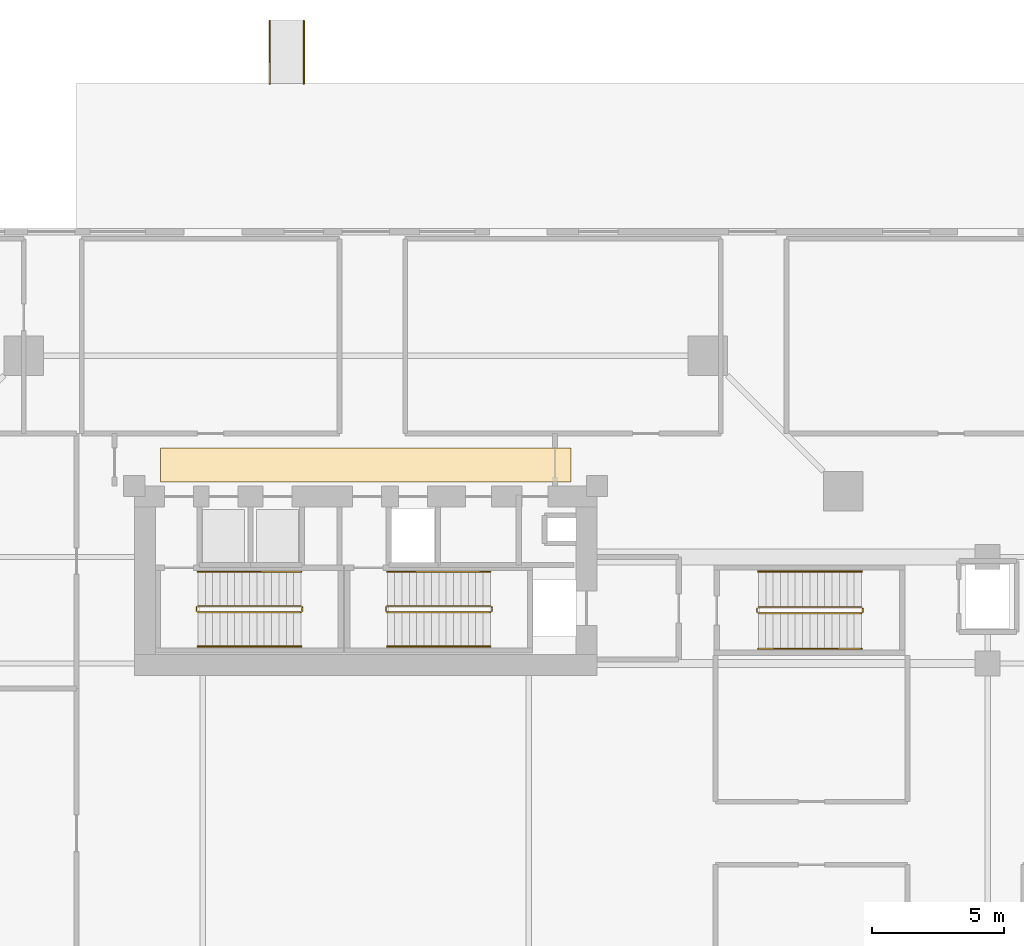
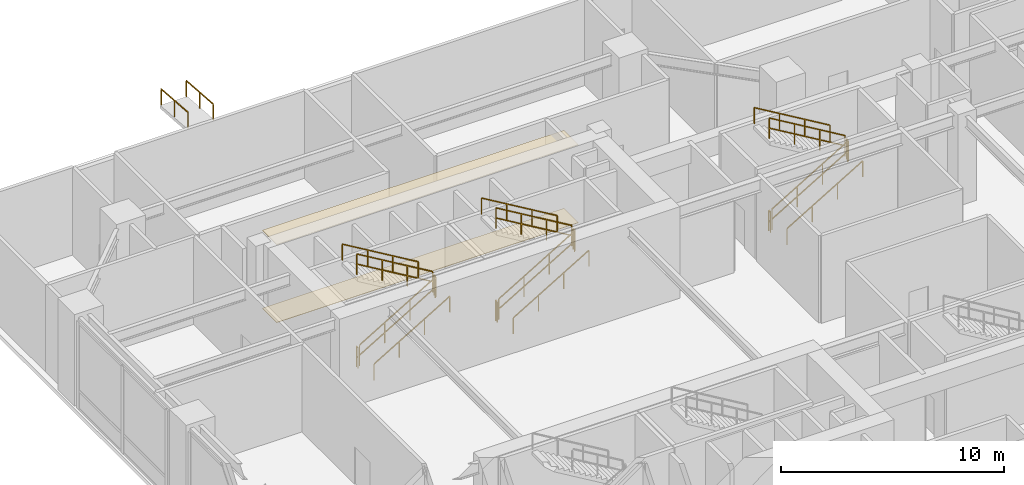
# One storey, part 16 of 18: 20 railings, 2 coverings.
"""IFC4 building model written with IfcOpenShell, lengths in metres."""

from ifc_helpers import new_model, si_unit, direction, frame, origin, origin_2d, place, context, subcontext, project, spatial, polyline, rectangle, outline, extrude, material, layer, layer_set, type_object, element, save


model = new_model("IFC4")

# Units and contexts
model_context = context("Model", 3, precision=1e-05, world=origin(), true_north=direction((0.0, 1.0)))
body_context = subcontext(model_context, "Body", "Model", "MODEL_VIEW")
ifc_project = project(units=[si_unit("LENGTHUNIT", "METRE"), si_unit("AREAUNIT", "SQUARE_METRE"), si_unit("VOLUMEUNIT", "CUBIC_METRE"), si_unit("PLANEANGLEUNIT", "RADIAN"), si_unit("MASSUNIT", "GRAM", prefix="KILO"), si_unit("THERMODYNAMICTEMPERATUREUNIT", "KELVIN"), si_unit("POWERUNIT", "WATT")], contexts=[model_context])

# Site, building, storey
site_placement = place(None, origin())
site = spatial("IfcSite", under=ifc_project, at=site_placement, CompositionType="ELEMENT")
building_placement = place(site_placement, origin())
building = spatial("IfcBuilding", under=site, at=building_placement, Name="Qiaomeng Ring Towers", CompositionType="ELEMENT")
storey_placement = place(building_placement, origin())
storey = spatial("IfcBuildingStorey", under=building, at=storey_placement, Name="L00", CompositionType="ELEMENT", Elevation=0.0)

# Coverings
ifc_material_1 = material(Name="Mineral fibre acoustic ceiling tile", Category="gypsum")
ifc_layer_1 = layer(ifc_material_1, 0.02490234375, Name="Mineral fibre acoustic ceiling tile")
ifc_layer_set_1 = layer_set([ifc_layer_1], Name="Mineral fibre acoustic ceiling tile")
covering_type_1 = type_object("IfcCoveringType", Name="ARC-COV-CEIL1", PredefinedType="CEILING", material=ifc_layer_set_1)
covering_1_placement = place(storey_placement, frame((0.0, 0.0, 4.260009765625)))
element("IfcCovering", 1, at=covering_1_placement, inside=storey, type_object=covering_type_1, Name="L00 Corridor Acoustic Ceiling", PredefinedType="CEILING", context=body_context, shape_type="SweptSolid", body=[
    extrude(outline(polyline([(11.199951171875, 36.35009765625), (11.199951171875, 37.64990234375), (26.800048828125, 37.64990234375), (26.800048828125, 36.35009765625), (11.199951171875, 36.35009765625)])), origin(), (0.0, 0.0, 1.0), 0.02490234375),
])
ifc_material_2 = material(Name="Honed granite stone flooring", Category="masonry")
ifc_layer_2 = layer(ifc_material_2, 0.02392578125, Name="Honed granite stone flooring")
ifc_layer_set_2 = layer_set([ifc_layer_2], Name="Honed granite stone flooring")
covering_type_2 = type_object("IfcCoveringType", Name="ARC-COV-FLR2", PredefinedType="FLOORING", material=ifc_layer_set_2)
covering_2_placement = place(storey_placement, origin())
element("IfcCovering", 2, at=covering_2_placement, inside=storey, type_object=covering_type_2, Name="L00 Corridor Stone Flooring", PredefinedType="FLOORING", context=body_context, shape_type="SweptSolid", body=[
    extrude(outline(polyline([(11.199951171875, 36.35009765625), (11.199951171875, 37.64990234375), (26.800048828125, 37.64990234375), (26.800048828125, 36.35009765625), (11.199951171875, 36.35009765625)])), origin(), (0.0, 0.0, 1.0), 0.02001953125),
])

# Railings
ifc_material_3 = material(Name="Galvanised steel", Category="steel")
railing_type_1 = type_object("IfcRailingType", Name="ARC-RL-GUARD", PredefinedType="GUARDRAIL", material=ifc_material_3)
railing_1_placement = place(storey_placement, frame((12.6201171875, 31.39990234375, 0.166748046875)))
element("IfcRailing", 3, at=railing_1_placement, inside=storey, type_object=railing_type_1, Name="L00 ST1 stair guard 1", PredefinedType="GUARDRAIL", context=body_context, shape_type="SweptSolid", body=[
    extrude(rectangle(XDim=0.048095703125, YDim=0.048095703125, at=origin_2d()), frame((0.0, 0.0, 1.1259765625), z_axis=(0.859296244711, 0.0, 0.511478214419), x_axis=(0.0, 1.0, 0.0)), (0.0, 0.0, 1.0), 4.561767578125),
    extrude(rectangle(XDim=0.048095703125, YDim=0.048095703125, at=origin_2d()), frame((0.0, 0.0, 0.574951171875), z_axis=(0.859296244711, 0.0, 0.511478214419), x_axis=(0.0, 1.0, 0.0)), (0.0, 0.0, 1.0), 4.561767578125),
    extrude(rectangle(XDim=0.0419921875, YDim=0.0419921875, at=origin_2d()), origin(), (0.0, 0.0, 1.0), 1.101806640625),
    extrude(rectangle(XDim=0.0419921875, YDim=0.0419921875, at=origin_2d()), frame((1.306640625, 0.0, 0.77783203125)), (0.0, 0.0, 1.0), 1.101806640625),
    extrude(rectangle(XDim=0.0419921875, YDim=0.0419921875, at=origin_2d()), frame((2.61328125, 0.0, 1.555419921875)), (0.0, 0.0, 1.0), 1.101806640625),
    extrude(rectangle(XDim=0.0419921875, YDim=0.0419921875, at=origin_2d()), frame((3.919921875, 0.0, 2.333251953125)), (0.0, 0.0, 1.0), 1.101806640625),
])
railing_2_placement = place(storey_placement, frame((16.590087890625, 31.449951171875, 2.5)))
element("IfcRailing", 4, at=railing_2_placement, inside=storey, type_object=railing_type_1, Name="L00 ST1 stair guard 2", PredefinedType="GUARDRAIL", context=body_context, shape_type="SweptSolid", body=[
    extrude(rectangle(XDim=0.048095703125, YDim=0.048095703125, at=origin_2d()), frame((0.0, 0.0, 1.1259765625), z_axis=(0.0, 1.0, 0.0), x_axis=(-1.0, 0.0, 0.0)), (0.0, 0.0, 1.0), 0.14013671875),
    extrude(rectangle(XDim=0.048095703125, YDim=0.048095703125, at=origin_2d()), frame((0.0, 0.0, 0.574951171875), z_axis=(0.0, 1.0, 0.0), x_axis=(-1.0, 0.0, 0.0)), (0.0, 0.0, 1.0), 0.14013671875),
    extrude(rectangle(XDim=0.0419921875, YDim=0.0419921875, at=origin_2d()), origin(), (0.0, 0.0, 1.0), 1.101806640625),
    extrude(rectangle(XDim=0.0419921875, YDim=0.0419921875, at=origin_2d()), frame((0.0, 0.14013671875, 0.0)), (0.0, 0.0, 1.0), 1.101806640625),
])
railing_3_placement = place(storey_placement, frame((16.5400390625, 31.639892578125, 2.666748046875)))
element("IfcRailing", 5, at=railing_3_placement, inside=storey, type_object=railing_type_1, Name="L00 ST1 stair guard 3", PredefinedType="GUARDRAIL", context=body_context, shape_type="SweptSolid", body=[
    extrude(rectangle(XDim=0.048095703125, YDim=0.048095703125, at=origin_2d()), frame((0.0, 0.0, 1.1259765625), z_axis=(-0.859296244711, 0.0, 0.511478214419), x_axis=(0.0, -1.0, 0.0)), (0.0, 0.0, 1.0), 4.561767578125),
    extrude(rectangle(XDim=0.048095703125, YDim=0.048095703125, at=origin_2d()), frame((0.0, 0.0, 0.574951171875), z_axis=(-0.859296244711, 0.0, 0.511478214419), x_axis=(0.0, -1.0, 0.0)), (0.0, 0.0, 1.0), 4.561767578125),
    extrude(rectangle(XDim=0.0419921875, YDim=0.0419921875, at=origin_2d()), origin(), (0.0, 0.0, 1.0), 1.101806640625),
    extrude(rectangle(XDim=0.0419921875, YDim=0.0419921875, at=origin_2d()), frame((-1.306640625, 0.0, 0.77783203125)), (0.0, 0.0, 1.0), 1.101806640625),
    extrude(rectangle(XDim=0.0419921875, YDim=0.0419921875, at=origin_2d()), frame((-2.61328125, 0.0, 1.555419921875)), (0.0, 0.0, 1.0), 1.101806640625),
    extrude(rectangle(XDim=0.0419921875, YDim=0.0419921875, at=origin_2d()), frame((-3.919921875, 0.0, 2.333251953125)), (0.0, 0.0, 1.0), 1.101806640625),
])
railing_4_placement = place(storey_placement, frame((12.570068359375, 31.449951171875, 0.0)))
element("IfcRailing", 6, at=railing_4_placement, inside=storey, type_object=railing_type_1, Name="L00 ST1 stair guard 4", PredefinedType="GUARDRAIL", context=body_context, shape_type="SweptSolid", body=[
    extrude(rectangle(XDim=0.048095703125, YDim=0.048095703125, at=origin_2d()), frame((0.0, 0.0, 1.1259765625), z_axis=(0.0, 1.0, 0.0), x_axis=(-1.0, 0.0, 0.0)), (0.0, 0.0, 1.0), 0.14013671875),
    extrude(rectangle(XDim=0.048095703125, YDim=0.048095703125, at=origin_2d()), frame((0.0, 0.0, 0.574951171875), z_axis=(0.0, 1.0, 0.0), x_axis=(-1.0, 0.0, 0.0)), (0.0, 0.0, 1.0), 0.14013671875),
    extrude(rectangle(XDim=0.0419921875, YDim=0.0419921875, at=origin_2d()), origin(), (0.0, 0.0, 1.0), 1.101806640625),
    extrude(rectangle(XDim=0.0419921875, YDim=0.0419921875, at=origin_2d()), frame((0.0, 0.14013671875, 0.0)), (0.0, 0.0, 1.0), 1.101806640625),
])
railing_5_placement = place(storey_placement, frame((19.820068359375, 31.39990234375, 0.166748046875)))
element("IfcRailing", 7, at=railing_5_placement, inside=storey, type_object=railing_type_1, Name="L00 ST2 stair guard 1", PredefinedType="GUARDRAIL", context=body_context, shape_type="SweptSolid", body=[
    extrude(rectangle(XDim=0.048095703125, YDim=0.048095703125, at=origin_2d()), frame((0.0, 0.0, 1.1259765625), z_axis=(0.859296244711, 0.0, 0.511478214419), x_axis=(0.0, 1.0, 0.0)), (0.0, 0.0, 1.0), 4.561767578125),
    extrude(rectangle(XDim=0.048095703125, YDim=0.048095703125, at=origin_2d()), frame((0.0, 0.0, 0.574951171875), z_axis=(0.859296244711, 0.0, 0.511478214419), x_axis=(0.0, 1.0, 0.0)), (0.0, 0.0, 1.0), 4.561767578125),
    extrude(rectangle(XDim=0.0419921875, YDim=0.0419921875, at=origin_2d()), origin(), (0.0, 0.0, 1.0), 1.101806640625),
    extrude(rectangle(XDim=0.0419921875, YDim=0.0419921875, at=origin_2d()), frame((1.306640625, 0.0, 0.77783203125)), (0.0, 0.0, 1.0), 1.101806640625),
    extrude(rectangle(XDim=0.0419921875, YDim=0.0419921875, at=origin_2d()), frame((2.61328125, 0.0, 1.555419921875)), (0.0, 0.0, 1.0), 1.101806640625),
    extrude(rectangle(XDim=0.0419921875, YDim=0.0419921875, at=origin_2d()), frame((3.919921875, 0.0, 2.333251953125)), (0.0, 0.0, 1.0), 1.101806640625),
])
railing_6_placement = place(storey_placement, frame((23.7900390625, 31.449951171875, 2.5)))
element("IfcRailing", 8, at=railing_6_placement, inside=storey, type_object=railing_type_1, Name="L00 ST2 stair guard 2", PredefinedType="GUARDRAIL", context=body_context, shape_type="SweptSolid", body=[
    extrude(rectangle(XDim=0.048095703125, YDim=0.048095703125, at=origin_2d()), frame((0.0, 0.0, 1.1259765625), z_axis=(0.0, 1.0, 0.0), x_axis=(-1.0, 0.0, 0.0)), (0.0, 0.0, 1.0), 0.14013671875),
    extrude(rectangle(XDim=0.048095703125, YDim=0.048095703125, at=origin_2d()), frame((0.0, 0.0, 0.574951171875), z_axis=(0.0, 1.0, 0.0), x_axis=(-1.0, 0.0, 0.0)), (0.0, 0.0, 1.0), 0.14013671875),
    extrude(rectangle(XDim=0.0419921875, YDim=0.0419921875, at=origin_2d()), origin(), (0.0, 0.0, 1.0), 1.101806640625),
    extrude(rectangle(XDim=0.0419921875, YDim=0.0419921875, at=origin_2d()), frame((0.0, 0.14013671875, 0.0)), (0.0, 0.0, 1.0), 1.101806640625),
])
railing_7_placement = place(storey_placement, frame((23.739990234375, 31.639892578125, 2.666748046875)))
element("IfcRailing", 9, at=railing_7_placement, inside=storey, type_object=railing_type_1, Name="L00 ST2 stair guard 3", PredefinedType="GUARDRAIL", context=body_context, shape_type="SweptSolid", body=[
    extrude(rectangle(XDim=0.048095703125, YDim=0.048095703125, at=origin_2d()), frame((0.0, 0.0, 1.1259765625), z_axis=(-0.859296244711, 0.0, 0.511478214419), x_axis=(0.0, -1.0, 0.0)), (0.0, 0.0, 1.0), 4.561767578125),
    extrude(rectangle(XDim=0.048095703125, YDim=0.048095703125, at=origin_2d()), frame((0.0, 0.0, 0.574951171875), z_axis=(-0.859296244711, 0.0, 0.511478214419), x_axis=(0.0, -1.0, 0.0)), (0.0, 0.0, 1.0), 4.561767578125),
    extrude(rectangle(XDim=0.0419921875, YDim=0.0419921875, at=origin_2d()), origin(), (0.0, 0.0, 1.0), 1.101806640625),
    extrude(rectangle(XDim=0.0419921875, YDim=0.0419921875, at=origin_2d()), frame((-1.306640625, 0.0, 0.77783203125)), (0.0, 0.0, 1.0), 1.101806640625),
    extrude(rectangle(XDim=0.0419921875, YDim=0.0419921875, at=origin_2d()), frame((-2.61328125, 0.0, 1.555419921875)), (0.0, 0.0, 1.0), 1.101806640625),
    extrude(rectangle(XDim=0.0419921875, YDim=0.0419921875, at=origin_2d()), frame((-3.919921875, 0.0, 2.333251953125)), (0.0, 0.0, 1.0), 1.101806640625),
])
railing_8_placement = place(storey_placement, frame((19.77001953125, 31.449951171875, 0.0)))
element("IfcRailing", 10, at=railing_8_placement, inside=storey, type_object=railing_type_1, Name="L00 ST2 stair guard 4", PredefinedType="GUARDRAIL", context=body_context, shape_type="SweptSolid", body=[
    extrude(rectangle(XDim=0.048095703125, YDim=0.048095703125, at=origin_2d()), frame((0.0, 0.0, 1.1259765625), z_axis=(0.0, 1.0, 0.0), x_axis=(-1.0, 0.0, 0.0)), (0.0, 0.0, 1.0), 0.14013671875),
    extrude(rectangle(XDim=0.048095703125, YDim=0.048095703125, at=origin_2d()), frame((0.0, 0.0, 0.574951171875), z_axis=(0.0, 1.0, 0.0), x_axis=(-1.0, 0.0, 0.0)), (0.0, 0.0, 1.0), 0.14013671875),
    extrude(rectangle(XDim=0.0419921875, YDim=0.0419921875, at=origin_2d()), origin(), (0.0, 0.0, 1.0), 1.101806640625),
    extrude(rectangle(XDim=0.0419921875, YDim=0.0419921875, at=origin_2d()), frame((0.0, 0.14013671875, 0.0)), (0.0, 0.0, 1.0), 1.101806640625),
])
railing_9_placement = place(storey_placement, frame((33.929931640625, 31.360107421875, 0.166748046875)))
element("IfcRailing", 11, at=railing_9_placement, inside=storey, type_object=railing_type_1, Name="L00 ST7 stair guard 1", PredefinedType="GUARDRAIL", context=body_context, shape_type="SweptSolid", body=[
    extrude(rectangle(XDim=0.048095703125, YDim=0.048095703125, at=origin_2d()), frame((0.0, 0.0, 1.1259765625), z_axis=(0.859310244771, 0.0, 0.511454693235), x_axis=(0.0, 1.0, 0.0)), (0.0, 0.0, 1.0), 4.56201171875),
    extrude(rectangle(XDim=0.048095703125, YDim=0.048095703125, at=origin_2d()), frame((0.0, 0.0, 0.574951171875), z_axis=(0.859310244771, 0.0, 0.511454693235), x_axis=(0.0, 1.0, 0.0)), (0.0, 0.0, 1.0), 4.56201171875),
    extrude(rectangle(XDim=0.0419921875, YDim=0.0419921875, at=origin_2d()), origin(), (0.0, 0.0, 1.0), 1.101806640625),
    extrude(rectangle(XDim=0.0419921875, YDim=0.0419921875, at=origin_2d()), frame((1.306640625, 0.0, 0.77783203125)), (0.0, 0.0, 1.0), 1.101806640625),
    extrude(rectangle(XDim=0.0419921875, YDim=0.0419921875, at=origin_2d()), frame((2.613525390625, 0.0, 1.555419921875)), (0.0, 0.0, 1.0), 1.101806640625),
    extrude(rectangle(XDim=0.0419921875, YDim=0.0419921875, at=origin_2d()), frame((3.920166015625, 0.0, 2.333251953125)), (0.0, 0.0, 1.0), 1.101806640625),
])
railing_10_placement = place(storey_placement, frame((37.89990234375, 31.409912109375, 2.5)))
element("IfcRailing", 12, at=railing_10_placement, inside=storey, type_object=railing_type_1, Name="L00 ST7 stair guard 2", PredefinedType="GUARDRAIL", context=body_context, shape_type="SweptSolid", body=[
    extrude(rectangle(XDim=0.048095703125, YDim=0.048095703125, at=origin_2d()), frame((0.0, 0.0, 1.1259765625), z_axis=(0.0, 1.0, 0.0), x_axis=(-1.0, 0.0, 0.0)), (0.0, 0.0, 1.0), 0.14013671875),
    extrude(rectangle(XDim=0.048095703125, YDim=0.048095703125, at=origin_2d()), frame((0.0, 0.0, 0.574951171875), z_axis=(0.0, 1.0, 0.0), x_axis=(-1.0, 0.0, 0.0)), (0.0, 0.0, 1.0), 0.14013671875),
    extrude(rectangle(XDim=0.0419921875, YDim=0.0419921875, at=origin_2d()), origin(), (0.0, 0.0, 1.0), 1.101806640625),
    extrude(rectangle(XDim=0.0419921875, YDim=0.0419921875, at=origin_2d()), frame((0.0, 0.14013671875, 0.0)), (0.0, 0.0, 1.0), 1.101806640625),
])
railing_11_placement = place(storey_placement, frame((37.85009765625, 31.60009765625, 2.666748046875)))
element("IfcRailing", 13, at=railing_11_placement, inside=storey, type_object=railing_type_1, Name="L00 ST7 stair guard 3", PredefinedType="GUARDRAIL", context=body_context, shape_type="SweptSolid", body=[
    extrude(rectangle(XDim=0.048095703125, YDim=0.048095703125, at=origin_2d()), frame((0.0, 0.0, 1.1259765625), z_axis=(-0.859310244771, 0.0, 0.511454693235), x_axis=(0.0, -1.0, 0.0)), (0.0, 0.0, 1.0), 4.56201171875),
    extrude(rectangle(XDim=0.048095703125, YDim=0.048095703125, at=origin_2d()), frame((0.0, 0.0, 0.574951171875), z_axis=(-0.859310244771, 0.0, 0.511454693235), x_axis=(0.0, -1.0, 0.0)), (0.0, 0.0, 1.0), 4.56201171875),
    extrude(rectangle(XDim=0.0419921875, YDim=0.0419921875, at=origin_2d()), origin(), (0.0, 0.0, 1.0), 1.101806640625),
    extrude(rectangle(XDim=0.0419921875, YDim=0.0419921875, at=origin_2d()), frame((-1.306640625, 0.0, 0.77783203125)), (0.0, 0.0, 1.0), 1.101806640625),
    extrude(rectangle(XDim=0.0419921875, YDim=0.0419921875, at=origin_2d()), frame((-2.613525390625, 0.0, 1.555419921875)), (0.0, 0.0, 1.0), 1.101806640625),
    extrude(rectangle(XDim=0.0419921875, YDim=0.0419921875, at=origin_2d()), frame((-3.920166015625, 0.0, 2.333251953125)), (0.0, 0.0, 1.0), 1.101806640625),
])
railing_12_placement = place(storey_placement, frame((33.8798828125, 31.409912109375, 0.0)))
element("IfcRailing", 14, at=railing_12_placement, inside=storey, type_object=railing_type_1, Name="L00 ST7 stair guard 4", PredefinedType="GUARDRAIL", context=body_context, shape_type="SweptSolid", body=[
    extrude(rectangle(XDim=0.048095703125, YDim=0.048095703125, at=origin_2d()), frame((0.0, 0.0, 1.1259765625), z_axis=(0.0, 1.0, 0.0), x_axis=(-1.0, 0.0, 0.0)), (0.0, 0.0, 1.0), 0.14013671875),
    extrude(rectangle(XDim=0.048095703125, YDim=0.048095703125, at=origin_2d()), frame((0.0, 0.0, 0.574951171875), z_axis=(0.0, 1.0, 0.0), x_axis=(-1.0, 0.0, 0.0)), (0.0, 0.0, 1.0), 0.14013671875),
    extrude(rectangle(XDim=0.0419921875, YDim=0.0419921875, at=origin_2d()), origin(), (0.0, 0.0, 1.0), 1.101806640625),
    extrude(rectangle(XDim=0.0419921875, YDim=0.0419921875, at=origin_2d()), frame((0.0, 0.14013671875, 0.0)), (0.0, 0.0, 1.0), 1.101806640625),
])
ifc_material_4 = material(Name="Stainless steel 316", Category="steel")
railing_type_2 = type_object("IfcRailingType", Name="ARC-RL-HAND", PredefinedType="HANDRAIL", material=ifc_material_4)
railing_13_placement = place(storey_placement, frame((12.6201171875, 30.10009765625, 0.166748046875)))
element("IfcRailing", 15, at=railing_13_placement, inside=storey, type_object=railing_type_2, Name="L00 ST1 stair handrail 1", PredefinedType="HANDRAIL", context=body_context, shape_type="SweptSolid", body=[
    extrude(rectangle(XDim=0.048095703125, YDim=0.048095703125, at=origin_2d()), frame((0.0, 0.0, 0.8759765625), z_axis=(0.859296244711, 0.0, 0.511478214419), x_axis=(0.0, 1.0, 0.0)), (0.0, 0.0, 1.0), 4.561767578125),
    extrude(rectangle(XDim=0.0419921875, YDim=0.0419921875, at=origin_2d()), origin(), (0.0, 0.0, 1.0), 0.851806640625),
    extrude(rectangle(XDim=0.0419921875, YDim=0.0419921875, at=origin_2d()), frame((1.306640625, 0.0, 0.77783203125)), (0.0, 0.0, 1.0), 0.851806640625),
    extrude(rectangle(XDim=0.0419921875, YDim=0.0419921875, at=origin_2d()), frame((2.61328125, 0.0, 1.555419921875)), (0.0, 0.0, 1.0), 0.851806640625),
    extrude(rectangle(XDim=0.0419921875, YDim=0.0419921875, at=origin_2d()), frame((3.919921875, 0.0, 2.333251953125)), (0.0, 0.0, 1.0), 0.851806640625),
])
railing_14_placement = place(storey_placement, frame((16.5400390625, 32.93994140625, 2.666748046875)))
element("IfcRailing", 16, at=railing_14_placement, inside=storey, type_object=railing_type_2, Name="L00 ST1 stair handrail 2", PredefinedType="HANDRAIL", context=body_context, shape_type="SweptSolid", body=[
    extrude(rectangle(XDim=0.048095703125, YDim=0.048095703125, at=origin_2d()), frame((0.0, 0.0, 0.8759765625), z_axis=(-0.859296244711, 0.0, 0.511478214419), x_axis=(0.0, -1.0, 0.0)), (0.0, 0.0, 1.0), 4.561767578125),
    extrude(rectangle(XDim=0.0419921875, YDim=0.0419921875, at=origin_2d()), origin(), (0.0, 0.0, 1.0), 0.851806640625),
    extrude(rectangle(XDim=0.0419921875, YDim=0.0419921875, at=origin_2d()), frame((-1.306640625, 0.0, 0.77783203125)), (0.0, 0.0, 1.0), 0.851806640625),
    extrude(rectangle(XDim=0.0419921875, YDim=0.0419921875, at=origin_2d()), frame((-2.61328125, 0.0, 1.555419921875)), (0.0, 0.0, 1.0), 0.851806640625),
    extrude(rectangle(XDim=0.0419921875, YDim=0.0419921875, at=origin_2d()), frame((-3.919921875, 0.0, 2.333251953125)), (0.0, 0.0, 1.0), 0.851806640625),
])
railing_15_placement = place(storey_placement, frame((19.820068359375, 30.10009765625, 0.166748046875)))
element("IfcRailing", 17, at=railing_15_placement, inside=storey, type_object=railing_type_2, Name="L00 ST2 stair handrail 1", PredefinedType="HANDRAIL", context=body_context, shape_type="SweptSolid", body=[
    extrude(rectangle(XDim=0.048095703125, YDim=0.048095703125, at=origin_2d()), frame((0.0, 0.0, 0.8759765625), z_axis=(0.859296244711, 0.0, 0.511478214419), x_axis=(0.0, 1.0, 0.0)), (0.0, 0.0, 1.0), 4.561767578125),
    extrude(rectangle(XDim=0.0419921875, YDim=0.0419921875, at=origin_2d()), origin(), (0.0, 0.0, 1.0), 0.851806640625),
    extrude(rectangle(XDim=0.0419921875, YDim=0.0419921875, at=origin_2d()), frame((1.306640625, 0.0, 0.77783203125)), (0.0, 0.0, 1.0), 0.851806640625),
    extrude(rectangle(XDim=0.0419921875, YDim=0.0419921875, at=origin_2d()), frame((2.61328125, 0.0, 1.555419921875)), (0.0, 0.0, 1.0), 0.851806640625),
    extrude(rectangle(XDim=0.0419921875, YDim=0.0419921875, at=origin_2d()), frame((3.919921875, 0.0, 2.333251953125)), (0.0, 0.0, 1.0), 0.851806640625),
])
railing_16_placement = place(storey_placement, frame((23.739990234375, 32.93994140625, 2.666748046875)))
element("IfcRailing", 18, at=railing_16_placement, inside=storey, type_object=railing_type_2, Name="L00 ST2 stair handrail 2", PredefinedType="HANDRAIL", context=body_context, shape_type="SweptSolid", body=[
    extrude(rectangle(XDim=0.048095703125, YDim=0.048095703125, at=origin_2d()), frame((0.0, 0.0, 0.8759765625), z_axis=(-0.859296244711, 0.0, 0.511478214419), x_axis=(0.0, -1.0, 0.0)), (0.0, 0.0, 1.0), 4.561767578125),
    extrude(rectangle(XDim=0.0419921875, YDim=0.0419921875, at=origin_2d()), origin(), (0.0, 0.0, 1.0), 0.851806640625),
    extrude(rectangle(XDim=0.0419921875, YDim=0.0419921875, at=origin_2d()), frame((-1.306640625, 0.0, 0.77783203125)), (0.0, 0.0, 1.0), 0.851806640625),
    extrude(rectangle(XDim=0.0419921875, YDim=0.0419921875, at=origin_2d()), frame((-2.61328125, 0.0, 1.555419921875)), (0.0, 0.0, 1.0), 0.851806640625),
    extrude(rectangle(XDim=0.0419921875, YDim=0.0419921875, at=origin_2d()), frame((-3.919921875, 0.0, 2.333251953125)), (0.0, 0.0, 1.0), 0.851806640625),
])
railing_17_placement = place(storey_placement, frame((33.929931640625, 30.010009765625, 0.166748046875)))
element("IfcRailing", 19, at=railing_17_placement, inside=storey, type_object=railing_type_2, Name="L00 ST7 stair handrail 1", PredefinedType="HANDRAIL", context=body_context, shape_type="SweptSolid", body=[
    extrude(rectangle(XDim=0.048095703125, YDim=0.048095703125, at=origin_2d()), frame((0.0, 0.0, 0.8759765625), z_axis=(0.859310244771, 0.0, 0.511454693235), x_axis=(0.0, 1.0, 0.0)), (0.0, 0.0, 1.0), 4.56201171875),
    extrude(rectangle(XDim=0.0419921875, YDim=0.0419921875, at=origin_2d()), origin(), (0.0, 0.0, 1.0), 0.851806640625),
    extrude(rectangle(XDim=0.0419921875, YDim=0.0419921875, at=origin_2d()), frame((1.306640625, 0.0, 0.77783203125)), (0.0, 0.0, 1.0), 0.851806640625),
    extrude(rectangle(XDim=0.0419921875, YDim=0.0419921875, at=origin_2d()), frame((2.613525390625, 0.0, 1.555419921875)), (0.0, 0.0, 1.0), 0.851806640625),
    extrude(rectangle(XDim=0.0419921875, YDim=0.0419921875, at=origin_2d()), frame((3.920166015625, 0.0, 2.333251953125)), (0.0, 0.0, 1.0), 0.851806640625),
])
railing_18_placement = place(storey_placement, frame((37.85009765625, 32.949951171875, 2.666748046875)))
element("IfcRailing", 20, at=railing_18_placement, inside=storey, type_object=railing_type_2, Name="L00 ST7 stair handrail 2", PredefinedType="HANDRAIL", context=body_context, shape_type="SweptSolid", body=[
    extrude(rectangle(XDim=0.048095703125, YDim=0.048095703125, at=origin_2d()), frame((0.0, 0.0, 0.8759765625), z_axis=(-0.859310244771, 0.0, 0.511454693235), x_axis=(0.0, -1.0, 0.0)), (0.0, 0.0, 1.0), 4.56201171875),
    extrude(rectangle(XDim=0.0419921875, YDim=0.0419921875, at=origin_2d()), origin(), (0.0, 0.0, 1.0), 0.851806640625),
    extrude(rectangle(XDim=0.0419921875, YDim=0.0419921875, at=origin_2d()), frame((-1.306640625, 0.0, 0.77783203125)), (0.0, 0.0, 1.0), 0.851806640625),
    extrude(rectangle(XDim=0.0419921875, YDim=0.0419921875, at=origin_2d()), frame((-2.613525390625, 0.0, 1.555419921875)), (0.0, 0.0, 1.0), 0.851806640625),
    extrude(rectangle(XDim=0.0419921875, YDim=0.0419921875, at=origin_2d()), frame((-3.920166015625, 0.0, 2.333251953125)), (0.0, 0.0, 1.0), 0.851806640625),
])
for number, where, name in (
    (21, (15.35009765625, 53.89794921875, -0.179931640625), "AR3 Accessible Handrail L"),
    (22, (16.64990234375, 53.89794921875, -0.179931640625), "AR3 Accessible Handrail R"),
):
    element("IfcRailing", number, at=place(storey_placement, frame(where)), inside=storey, type_object=railing_type_2, Name=name, PredefinedType="HANDRAIL", context=body_context, shape_type="SweptSolid", body=[
        extrude(rectangle(XDim=0.048095703125, YDim=0.048095703125, at=origin_2d()), frame((0.0, 0.0, 0.8759765625), z_axis=(0.0, -0.997201201018, 0.074764728906), x_axis=(1.0, 0.0, 0.0)), (0.0, 0.0, 1.0), 2.40673828125),
        extrude(rectangle(XDim=0.0419921875, YDim=0.0419921875, at=origin_2d()), origin(), (0.0, 0.0, 1.0), 0.851806640625),
        extrude(rectangle(XDim=0.0419921875, YDim=0.0419921875, at=origin_2d()), frame((0.0, -1.199951171875, 0.08984375)), (0.0, 0.0, 1.0), 0.851806640625),
        extrude(rectangle(XDim=0.0419921875, YDim=0.0419921875, at=origin_2d()), frame((0.0, -2.39990234375, 0.179931640625)), (0.0, 0.0, 1.0), 0.851806640625),
    ])

save(model, "model.ifc")
